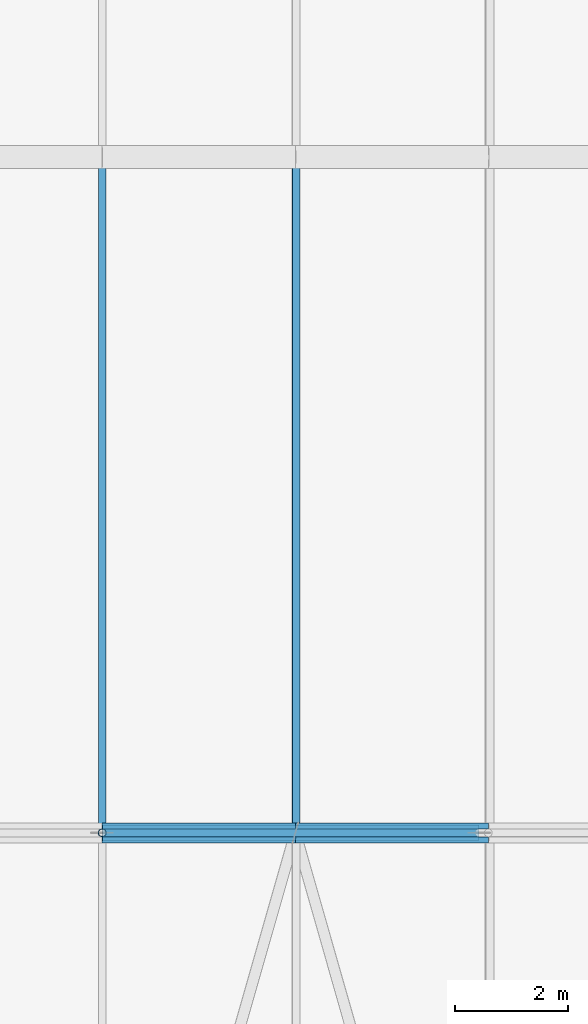
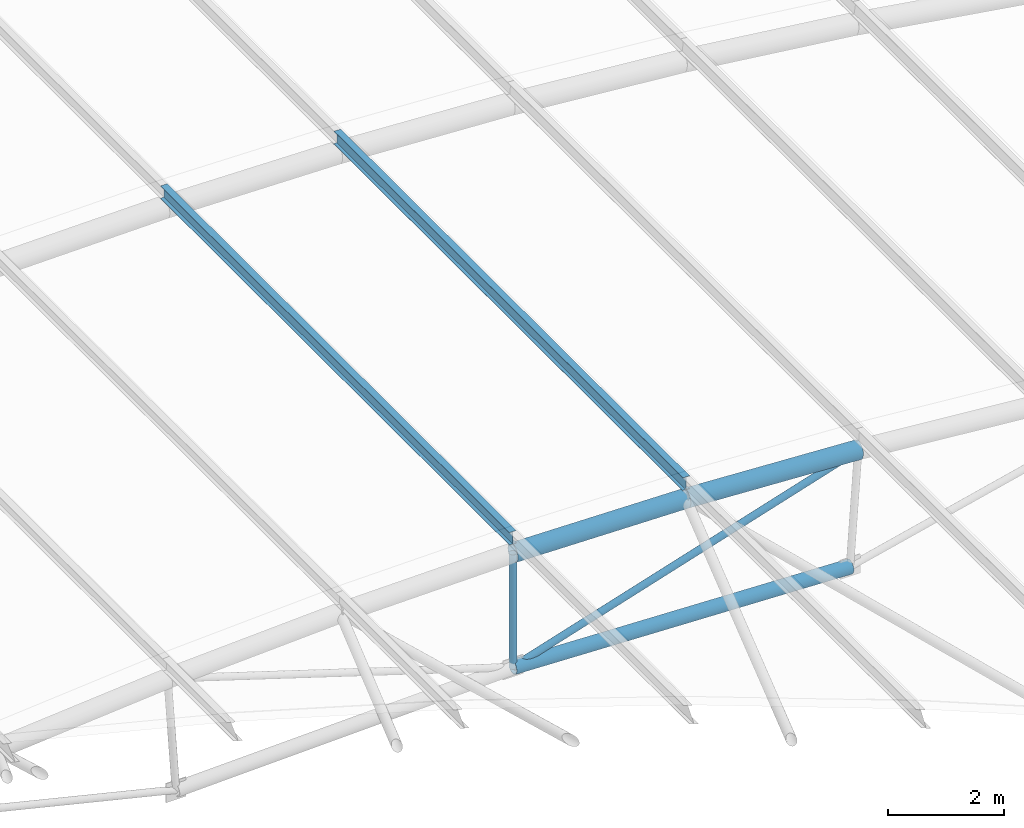
# One storey, part 6 of 91: 7 members.
"""IFC4 building model written with IfcOpenShell, lengths in metres."""

from ifc_helpers import new_model, si_unit, direction, frame, origin, origin_2d, place, context, subcontext, project, spatial, hollow_circle, i_section, extrude, material, material_profile, profile_set, type_object, element, save


model = new_model("IFC4")

# Units and contexts
model_context = context("Model", 3, precision=1e-05, world=origin(), true_north=direction((0.0, 1.0)))
body_context = subcontext(model_context, "Body", "Model", "MODEL_VIEW")
ifc_project = project(units=[si_unit("LENGTHUNIT", "METRE"), si_unit("AREAUNIT", "SQUARE_METRE"), si_unit("VOLUMEUNIT", "CUBIC_METRE"), si_unit("PLANEANGLEUNIT", "RADIAN"), si_unit("MASSUNIT", "GRAM", prefix="KILO")], contexts=[model_context])

# Site, building, storey
site_placement = place(None, origin())
site = spatial("IfcSite", under=ifc_project, at=site_placement, CompositionType="ELEMENT")
building_placement = place(site_placement, origin())
building = spatial("IfcBuilding", under=site, at=building_placement, Name="Ravi Spectrum Wholesale Market", CompositionType="ELEMENT")
storey_placement = place(building_placement, frame((0.0, 0.0, 16.199951171875)))
storey = spatial("IfcBuildingStorey", under=building, at=storey_placement, Name="ROOF PLANT LEVEL", CompositionType="ELEMENT", Elevation=16.199951171875)

# Members
ifc_material_1 = material(Name="Steel S355", Category="steel")
ifc_material_profile_1 = material_profile(ifc_material_1, hollow_circle(Radius=0.06982421875, WallThickness=0.0048828125, at=origin_2d()))
ifc_profile_set_1 = profile_set([ifc_material_profile_1], Name="Steel S355")
member_type_1 = type_object("IfcMemberType", Name="CHS 139.7x5 brace", PredefinedType="BRACE", material=ifc_profile_set_1)
member_1_placement = place(storey_placement, frame((76.857177734375, 42.0, 2.788818359375), z_axis=(-0.953666273238, 0.0, -0.300866480833), x_axis=(0.0, -1.0, 0.0)))
element("IfcMember", 1, at=member_1_placement, inside=storey, type_object=member_type_1, Name="H1-MB-L02-152", PredefinedType="BRACE", context=body_context, shape_type="SweptSolid", body=[
    extrude(hollow_circle(Radius=0.06982421875, WallThickness=0.0048828125, at=origin_2d()), origin(), (0.0, 0.0, 1.0), 7.1904296875),
])
ifc_material_2 = material(Name="Steel S355", Category="steel")
ifc_material_profile_2 = material_profile(ifc_material_2, hollow_circle(Radius=0.06982421875, WallThickness=0.0048828125, at=origin_2d()))
ifc_profile_set_2 = profile_set([ifc_material_profile_2], Name="Steel S355")
member_type_2 = type_object("IfcMemberType", Name="CHS 139.7x5 post", PredefinedType="POST", material=ifc_profile_set_2)
member_2_placement = place(storey_placement, frame((70.0, 42.0, 3.025390625), z_axis=(0.0, 0.0, -1.0), x_axis=(1.0, 0.0, 0.0)))
element("IfcMember", 2, at=member_2_placement, inside=storey, type_object=member_type_2, Name="H1-MB-L02-141", PredefinedType="POST", context=body_context, shape_type="SweptSolid", body=[
    extrude(hollow_circle(Radius=0.06982421875, WallThickness=0.0048828125, at=origin_2d()), origin(), (0.0, 0.0, 1.0), 2.39990234375),
])
ifc_material_3 = material(Name="Steel S355", Category="steel")
ifc_material_profile_3 = material_profile(ifc_material_3, hollow_circle(Radius=0.136474609375, WallThickness=0.010009765625, at=origin_2d()))
ifc_profile_set_3 = profile_set([ifc_material_profile_3], Name="Steel S355")
member_type_3 = type_object("IfcMemberType", Name="CHS 273x10 chord", PredefinedType="CHORD", material=ifc_profile_set_3)
member_3_placement = place(storey_placement, frame((70.0, 42.0, 0.62548828125), z_axis=(0.999404959621, 0.0, -0.034492414878), x_axis=(0.0, 1.0, 0.0)))
element("IfcMember", 3, at=member_3_placement, inside=storey, type_object=member_type_3, Name="H1-MB-L02-130", PredefinedType="CHORD", context=body_context, shape_type="SweptSolid", body=[
    extrude(hollow_circle(Radius=0.136474609375, WallThickness=0.010009765625, at=origin_2d()), origin(), (0.0, 0.0, 1.0), 6.69580078125),
])
ifc_material_4 = material(Name="Steel S355", Category="steel")
ifc_material_profile_4 = material_profile(ifc_material_4, hollow_circle(Radius=0.177734375, WallThickness=0.012451171875, at=origin_2d()))
ifc_profile_set_4 = profile_set([ifc_material_profile_4], Name="Steel S355")
member_type_4 = type_object("IfcMemberType", Name="CHS 355.6x12.5 chord", PredefinedType="CHORD", material=ifc_profile_set_4)
for number, where, z_axis, x_axis, name in (
    (4, (70.0, 42.0, 3.025390625), (0.99985173868, 0.0, -0.017219194475), (0.0, 1.0, 0.0), "H1-MB-L02-112"),
    (5, (73.4306640625, 42.0, 2.96630859375), (0.998661121681, 0.0, -0.051729721087), (0.0, 1.0, 0.0), "H1-MB-L02-113"),
):
    element("IfcMember", number, at=place(storey_placement, frame(where, z_axis=z_axis, x_axis=x_axis)), inside=storey, type_object=member_type_4, Name=name, PredefinedType="CHORD", context=body_context, shape_type="SweptSolid", body=[
        extrude(hollow_circle(Radius=0.177734375, WallThickness=0.012451171875, at=origin_2d()), origin(), (0.0, 0.0, 1.0), 3.43115234375),
    ])
ifc_material_5 = material(Name="Steel S355", Category="steel")
ifc_material_profile_5 = material_profile(ifc_material_5, i_section(OverallWidth=0.135009765625, OverallDepth=0.27001953125, WebThickness=0.006591796875, FlangeThickness=0.01025390625, at=origin_2d()))
ifc_profile_set_5 = profile_set([ifc_material_profile_5], Name="Steel S355")
member_type_5 = type_object("IfcMemberType", Name="IPE 270 purlin", PredefinedType="PURLIN", material=ifc_profile_set_5)
for number, where, z_axis, x_axis, name in (
    (6, (70.0, 42.0, 3.338134765625), (0.0, 1.0, 0.0), (-1.0, 0.0, 0.0), "H1-MB-L02-1271"),
    (7, (73.44140625, 42.0, 3.27880859375), (0.0, 1.0, 0.0), (-0.999404978812, 0.0, 0.034491858836), "H1-MB-L02-1272"),
):
    element("IfcMember", number, at=place(storey_placement, frame(where, z_axis=z_axis, x_axis=x_axis)), inside=storey, type_object=member_type_5, Name=name, PredefinedType="PURLIN", context=body_context, shape_type="SweptSolid", body=[
        extrude(i_section(OverallWidth=0.135009765625, OverallDepth=0.27001953125, WebThickness=0.006591796875, FlangeThickness=0.01025390625, at=origin_2d()), origin(), (0.0, 0.0, 1.0), 12.0),
    ])

save(model, "model.ifc")
